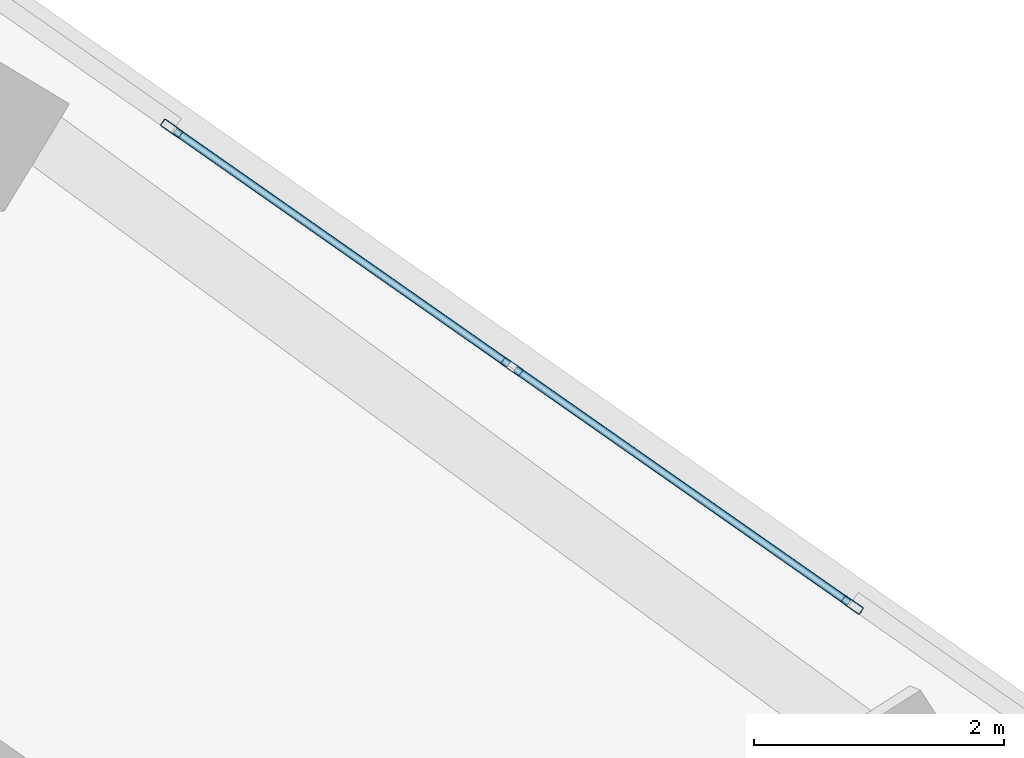
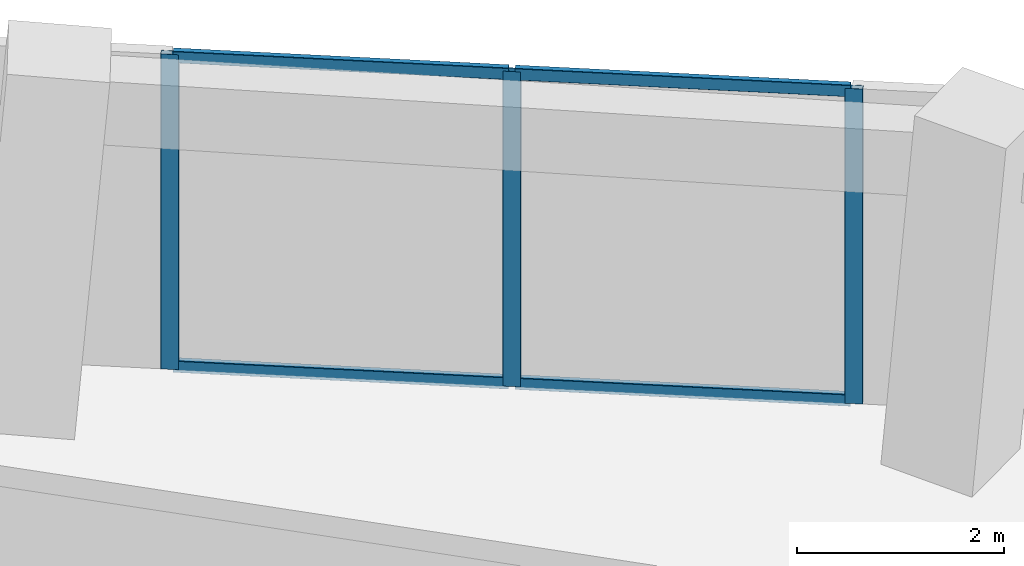
# One storey, part 15 of 22: 7 members, 1 element without a shape of its own.
"""IFC4 building model written with IfcOpenShell, lengths in metres."""

from ifc_helpers import new_model, si_unit, direction, frame, origin, origin_2d, place, context, subcontext, project, spatial, hollow_rectangle, extrude, source, transform, mapped, material, material_profile, profile_set, type_object, element, aggregate, save


model = new_model("IFC4")

# Units and contexts
model_context = context("Model", 3, precision=1e-05, world=origin(), true_north=direction((0.0, 1.0)))
body_context = subcontext(model_context, "Body", "Model", "MODEL_VIEW")
ifc_project = project(units=[si_unit("LENGTHUNIT", "METRE"), si_unit("AREAUNIT", "SQUARE_METRE"), si_unit("VOLUMEUNIT", "CUBIC_METRE"), si_unit("PLANEANGLEUNIT", "RADIAN"), si_unit("MASSUNIT", "GRAM", prefix="KILO")], contexts=[model_context])

# Site, building, storey
site_placement = place(None, origin())
site = spatial("IfcSite", under=ifc_project, at=site_placement, CompositionType="ELEMENT")
building_placement = place(site_placement, origin())
building = spatial("IfcBuilding", under=site, at=building_placement, Name="Torre Montelarca", CompositionType="ELEMENT")
storey_placement = place(building_placement, frame((0.0, 0.0, 196.0)))
storey = spatial("IfcBuildingStorey", under=building, at=storey_placement, Name="L44", CompositionType="ELEMENT", Elevation=196.0)

# Curtain wall, members
ifc_material_1 = material(Name="Insulated low-E laminated glass", Category="glass")
curtain_wall_type = type_object("IfcCurtainWallType", Name="CW-SYS-Z2", PredefinedType="USERDEFINED", material=ifc_material_1)
curtain_wall_placement = place(storey_placement, origin())
curtain_wall = element("IfcCurtainWall", 1, at=curtain_wall_placement, inside=storey, type_object=curtain_wall_type, Name="L44 Curtain Wall Run CW-T3-L44-E08-B4", ObjectType="UNITISED GLAZING", PredefinedType="USERDEFINED")
ifc_material_2 = material(Name="Anodised aluminium AA 6063-T6", Category="aluminium")
ifc_material_profile_1 = material_profile(ifc_material_2, hollow_rectangle(XDim=0.06494140625, YDim=0.179931640625, WallThickness=0.00390625, InnerFilletRadius=0.00390625, OuterFilletRadius=0.008056640625, at=origin_2d()), Name="ALU65X180X4", Category="aluminium")
ifc_profile_set_1 = profile_set([ifc_material_profile_1], Name="Anodised aluminium AA 6063-T6")
member_type_1 = type_object("IfcMemberType", Name="CWM-ALU180", PredefinedType="MULLION", material=ifc_profile_set_1)
shared_shape_1 = source(origin(), body_context, "Body", "SweptSolid", [
    extrude(hollow_rectangle(XDim=0.06494140625, YDim=0.179931640625, WallThickness=0.00390625, InnerFilletRadius=0.00390625, OuterFilletRadius=0.008056640625, at=origin_2d()), origin(), (0.0, 0.0, 1.0), 3.719970703125),
])
member_1_placement = place(storey_placement, frame((27.02099609375, 47.751953125, 0.0), z_axis=(0.0, 0.0, 1.0), x_axis=(-0.573573419487, -0.819154156712, 0.0)))
member_1 = element("IfcMember", 2, at=member_1_placement, type_object=member_type_1, Name="CW mullion 1", PredefinedType="MULLION", context=body_context, shape_type="MappedRepresentation", body=[
    mapped(shared_shape_1, transform((0.0, 0.0, 0.0), scale=1.0)),
])
member_2_placement = place(storey_placement, frame((24.30078125, 49.65673828125, 0.0), z_axis=(0.0, 0.0, 1.0), x_axis=(-0.573573419487, -0.819154156712, 0.0)))
member_2 = element("IfcMember", 3, at=member_2_placement, type_object=member_type_1, Name="CW mullion 2", PredefinedType="MULLION", context=body_context, shape_type="MappedRepresentation", body=[
    mapped(shared_shape_1, transform((0.0, 0.0, 0.0), scale=1.0)),
])
member_3_placement = place(storey_placement, frame((21.58056640625, 51.5615234375, 0.0), z_axis=(0.0, 0.0, 1.0), x_axis=(-0.573573419487, -0.819154156712, 0.0)))
member_3 = element("IfcMember", 4, at=member_3_placement, type_object=member_type_1, Name="CW mullion 3", PredefinedType="MULLION", context=body_context, shape_type="MappedRepresentation", body=[
    mapped(shared_shape_1, transform((0.0, 0.0, 0.0), scale=1.0)),
])
ifc_material_profile_2 = material_profile(ifc_material_2, hollow_rectangle(XDim=0.06494140625, YDim=0.139892578125, WallThickness=0.00390625, InnerFilletRadius=0.00390625, OuterFilletRadius=0.008056640625, at=origin_2d()), Name="ALU65X140X4", Category="aluminium")
ifc_profile_set_2 = profile_set([ifc_material_profile_2], Name="Anodised aluminium AA 6063-T6")
member_type_2 = type_object("IfcMemberType", Name="CWT-ALU140", PredefinedType="USERDEFINED", material=ifc_profile_set_2)
shared_shape_2 = source(origin(), body_context, "Body", "SweptSolid", [
    extrude(hollow_rectangle(XDim=0.06494140625, YDim=0.139892578125, WallThickness=0.00390625, InnerFilletRadius=0.00390625, OuterFilletRadius=0.008056640625, at=origin_2d()), origin(), (0.0, 0.0, 1.0), 3.255859375),
])
member_4_placement = place(storey_placement, frame((26.994384765625, 47.770751953125, 0.032470703125), z_axis=(-0.819154410034, 0.573573057703, 0.0), x_axis=(-0.573573057703, -0.819154410034, 0.0)))
member_4 = element("IfcMember", 5, at=member_4_placement, type_object=member_type_2, Name="CW transom 1.1", ObjectType="TRANSOM", PredefinedType="USERDEFINED", context=body_context, shape_type="MappedRepresentation", body=[
    mapped(shared_shape_2, transform((0.0, 0.0, 0.0), scale=1.0)),
])
member_5_placement = place(storey_placement, frame((26.994384765625, 47.770751953125, 3.6875), z_axis=(-0.819154410034, 0.573573057703, 0.0), x_axis=(-0.573573057703, -0.819154410034, 0.0)))
member_5 = element("IfcMember", 6, at=member_5_placement, type_object=member_type_2, Name="CW transom 1.2", ObjectType="TRANSOM", PredefinedType="USERDEFINED", context=body_context, shape_type="MappedRepresentation", body=[
    mapped(shared_shape_2, transform((0.0, 0.0, 0.0), scale=1.0)),
])
member_6_placement = place(storey_placement, frame((24.274169921875, 49.67529296875, 0.032470703125), z_axis=(-0.819154410034, 0.573573057703, 0.0), x_axis=(-0.573573057703, -0.819154410034, 0.0)))
member_6 = element("IfcMember", 7, at=member_6_placement, type_object=member_type_2, Name="CW transom 2.1", ObjectType="TRANSOM", PredefinedType="USERDEFINED", context=body_context, shape_type="MappedRepresentation", body=[
    mapped(shared_shape_2, transform((0.0, 0.0, 0.0), scale=1.0)),
])
member_7_placement = place(storey_placement, frame((24.274169921875, 49.67529296875, 3.6875), z_axis=(-0.819154410034, 0.573573057703, 0.0), x_axis=(-0.573573057703, -0.819154410034, 0.0)))
member_7 = element("IfcMember", 8, at=member_7_placement, type_object=member_type_2, Name="CW transom 2.2", ObjectType="TRANSOM", PredefinedType="USERDEFINED", context=body_context, shape_type="MappedRepresentation", body=[
    mapped(shared_shape_2, transform((0.0, 0.0, 0.0), scale=1.0)),
])
aggregate(curtain_wall, [member_1, member_2, member_3, member_4, member_5, member_6, member_7])

save(model, "model.ifc")
